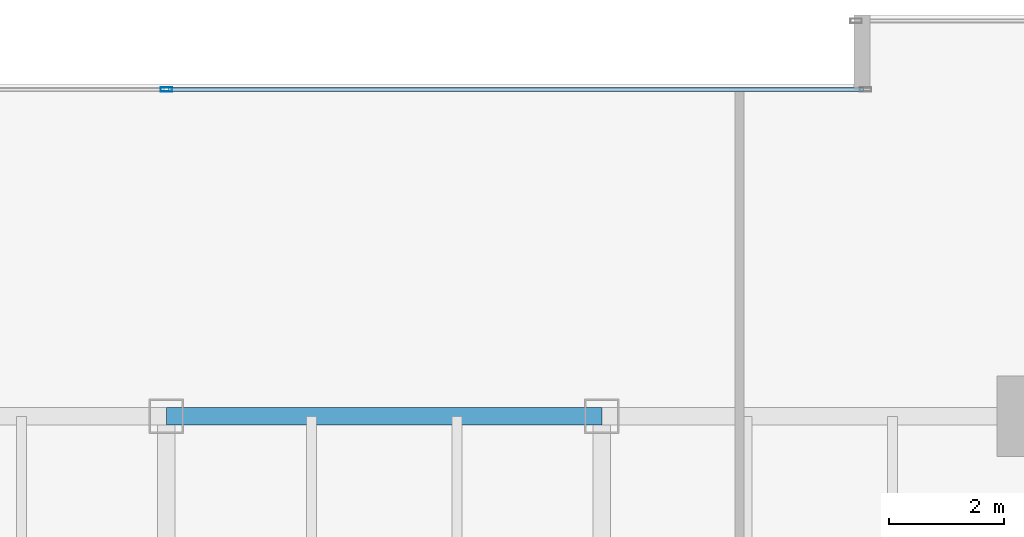
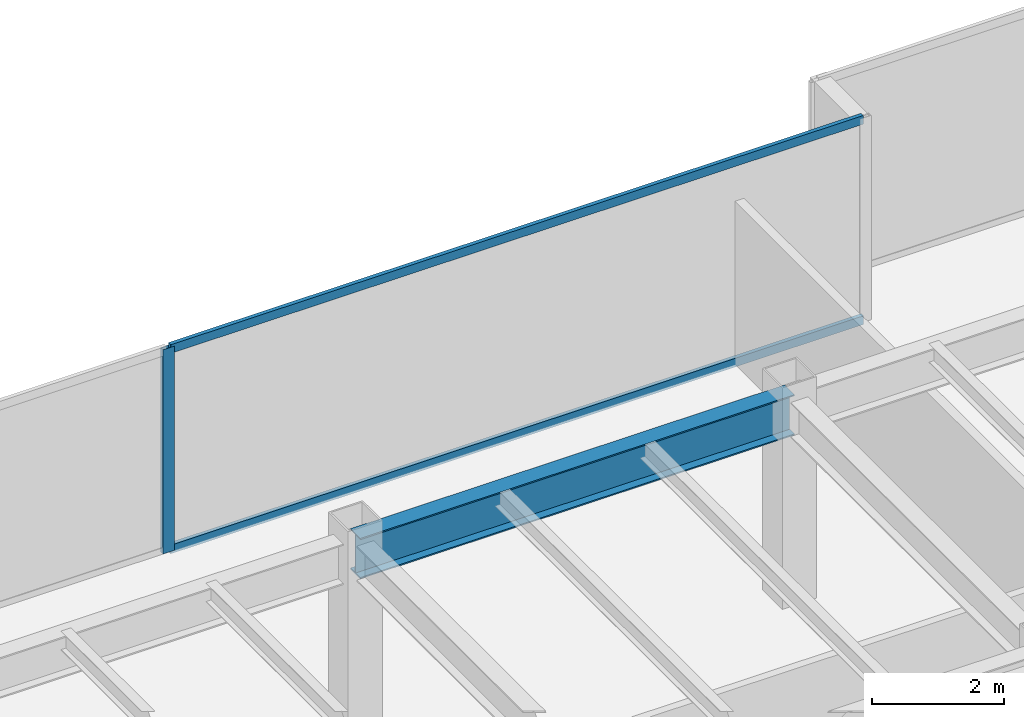
# One storey, part 18 of 35: 3 members, 1 beam, 1 element without a shape of its own.
"""IFC4 building model written with IfcOpenShell, lengths in metres."""

from ifc_helpers import new_model, si_unit, direction, frame, origin, origin_2d, place, context, subcontext, project, spatial, hollow_rectangle, i_section, extrude, source, transform, mapped, material, layer, layer_set, material_profile, profile_set, type_object, type_shapes, element, aggregate, save


model = new_model("IFC4")

# Units and contexts
model_context = context("Model", 3, precision=1e-05, world=origin(), true_north=direction((0.0, 1.0)))
body_context = subcontext(model_context, "Body", "Model", "MODEL_VIEW")
ifc_project = project(units=[si_unit("LENGTHUNIT", "METRE"), si_unit("AREAUNIT", "SQUARE_METRE"), si_unit("VOLUMEUNIT", "CUBIC_METRE"), si_unit("PLANEANGLEUNIT", "RADIAN"), si_unit("MASSUNIT", "GRAM", prefix="KILO")], contexts=[model_context])

# Site, building, storey
site_placement = place(None, origin())
site = spatial("IfcSite", under=ifc_project, at=site_placement, CompositionType="ELEMENT")
building_placement = place(site_placement, origin())
building = spatial("IfcBuilding", under=site, at=building_placement, Name="Haelvirn Gate Laboratories", CompositionType="ELEMENT")
storey_placement = place(building_placement, frame((0.0, 0.0, 86.699951171875)))
storey = spatial("IfcBuildingStorey", under=building, at=storey_placement, Name="L21", CompositionType="ELEMENT", Elevation=86.699951171875)

# Beam
ifc_material_1 = material(Name="Steel SM355", Category="steel")
ifc_material_profile_1 = material_profile(ifc_material_1, i_section(OverallWidth=0.300048828125, OverallDepth=0.75, WebThickness=0.013916015625, FlangeThickness=0.02392578125, at=origin_2d()), Name="H-750x300x14x24")
ifc_profile_set_1 = profile_set([ifc_material_profile_1], Name="Steel SM355")
beam_type = type_object("IfcBeamType", Name="BM-G-750", PredefinedType="BEAM", material=ifc_profile_set_1)
shared_shape_1 = source(origin(), body_context, "Body", "SweptSolid", [
    extrude(i_section(OverallWidth=0.300048828125, OverallDepth=0.75, WebThickness=0.013916015625, FlangeThickness=0.02392578125, at=origin_2d()), origin(), (0.0, 0.0, 1.0), 7.60009765625),
])
type_shapes(beam_type, [shared_shape_1])
beam_placement = place(storey_placement, frame((37.39990234375, 41.60009765625, 3.405029296875), z_axis=(1.0, 0.0, 0.0), x_axis=(0.0, 1.0, 0.0)))
element("IfcBeam", 1, at=beam_placement, inside=storey, type_object=beam_type, Name="L21 Primary Girder Y41.6 (37.4-45.0)", PredefinedType="BEAM", context=body_context, shape_type="MappedRepresentation", body=[
    mapped(shared_shape_1, transform((0.0, 0.0, 0.0), scale=1.0)),
])

# Curtain wall, members
ifc_material_2 = material(Name="Anodised bronze unitised aluminium & triple low-E glass", Category="aluminium")
ifc_layer = layer(ifc_material_2, 0.18408203125, Name="CW-SYS-2")
ifc_layer_set = layer_set([ifc_layer], Name="Anodised bronze unitised aluminium & triple low-E glass")
curtain_wall_type = type_object("IfcCurtainWallType", Name="CW-SYS-2", PredefinedType="NOTDEFINED", material=ifc_layer_set)
curtain_wall_placement = place(storey_placement, origin())
curtain_wall = element("IfcCurtainWall", 2, at=curtain_wall_placement, inside=storey, type_object=curtain_wall_type, Name="L21 Unitised Curtain Wall CW-L21-P0-E12-1", PredefinedType="NOTDEFINED")
ifc_material_3 = material(Name="Extruded aluminium 6063-T6 (anodised bronze)", Category="aluminium")
ifc_material_profile_2 = material_profile(ifc_material_3, hollow_rectangle(XDim=0.074951171875, YDim=0.199951171875, WallThickness=0.0048828125, at=origin_2d()), Name="CWM-200x75x5")
ifc_profile_set_2 = profile_set([ifc_material_profile_2], Name="Extruded aluminium 6063-T6 (anodised bronze)")
member_type_1 = type_object("IfcMemberType", Name="CWM-T200", PredefinedType="MULLION", material=ifc_profile_set_2)
shared_shape_2 = source(origin(), body_context, "Body", "SweptSolid", [
    extrude(hollow_rectangle(XDim=0.074951171875, YDim=0.199951171875, WallThickness=0.0048828125, at=origin_2d()), origin(), (0.0, 0.0, 1.0), 3.780029296875),
])
type_shapes(member_type_1, [shared_shape_2])
member_1_placement = place(storey_placement, frame((37.39990234375, 47.300048828125, 0.0), z_axis=(0.0, 0.0, 1.0), x_axis=(0.0, 1.0, 0.0)))
member_1 = element("IfcMember", 3, at=member_1_placement, type_object=member_type_1, Name="CW2 mullion 2", PredefinedType="MULLION", context=body_context, shape_type="MappedRepresentation", body=[
    mapped(shared_shape_2, transform((0.0, 0.0, 0.0), scale=1.0)),
])
ifc_material_profile_3 = material_profile(ifc_material_3, hollow_rectangle(XDim=0.070068359375, YDim=0.159912109375, WallThickness=0.0048828125, at=origin_2d()), Name="CWT-160x70x5")
ifc_profile_set_3 = profile_set([ifc_material_profile_3], Name="Extruded aluminium 6063-T6 (anodised bronze)")
member_type_2 = type_object("IfcMemberType", Name="CWT-T160", PredefinedType="USERDEFINED", material=ifc_profile_set_3)
shared_shape_3 = source(origin(), body_context, "Body", "SweptSolid", [
    extrude(hollow_rectangle(XDim=0.070068359375, YDim=0.159912109375, WallThickness=0.0048828125, at=origin_2d()), origin(), (0.0, 0.0, 1.0), 12.12744140625),
])
type_shapes(member_type_2, [shared_shape_3])
member_2_placement = place(storey_placement, frame((37.4375, 47.300048828125, 0.03515625), z_axis=(1.0, 0.0, 0.0), x_axis=(0.0, 1.0, 0.0)))
member_2 = element("IfcMember", 4, at=member_2_placement, type_object=member_type_2, Name="CW2 transom 2.1", ObjectType="TRANSOM", PredefinedType="USERDEFINED", context=body_context, shape_type="MappedRepresentation", body=[
    mapped(shared_shape_3, transform((0.0, 0.0, 0.0), scale=1.0)),
])
member_3_placement = place(storey_placement, frame((37.4375, 47.300048828125, 3.7451171875), z_axis=(1.0, 0.0, 0.0), x_axis=(0.0, 1.0, 0.0)))
member_3 = element("IfcMember", 5, at=member_3_placement, type_object=member_type_2, Name="CW2 transom 2.2", ObjectType="TRANSOM", PredefinedType="USERDEFINED", context=body_context, shape_type="MappedRepresentation", body=[
    mapped(shared_shape_3, transform((0.0, 0.0, 0.0), scale=1.0)),
])
aggregate(curtain_wall, [member_1, member_2, member_3])

save(model, "model.ifc")
